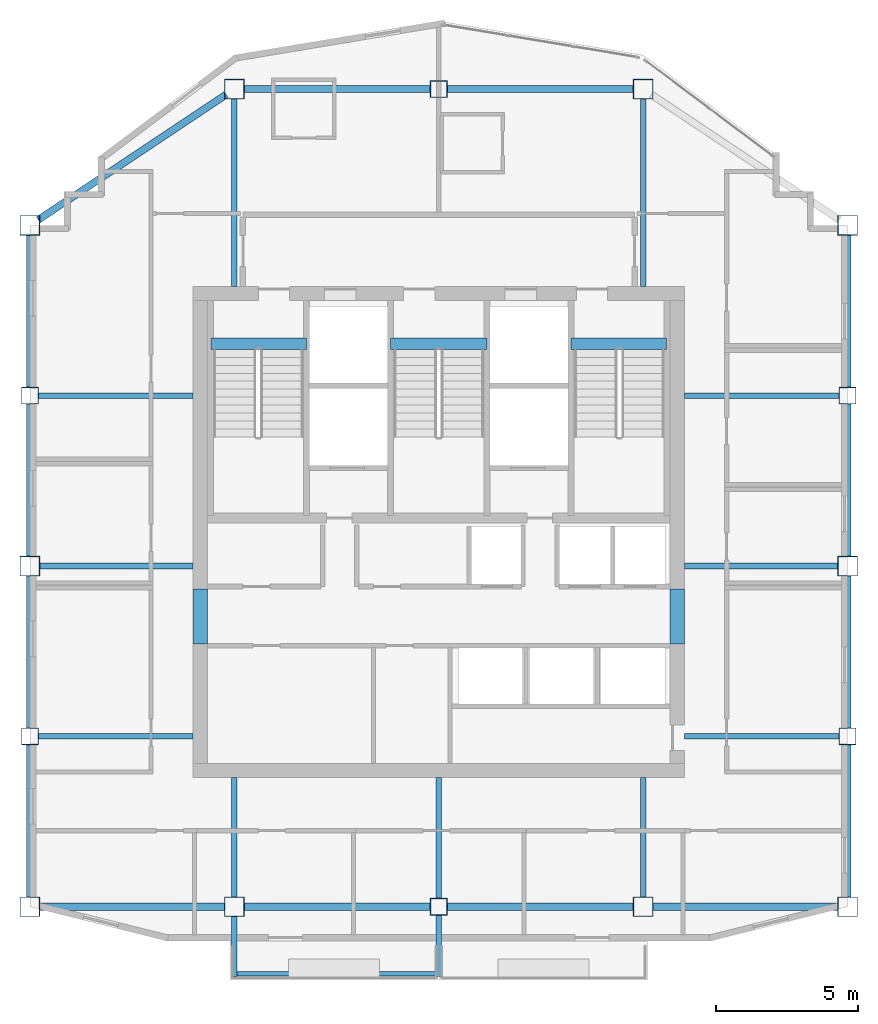
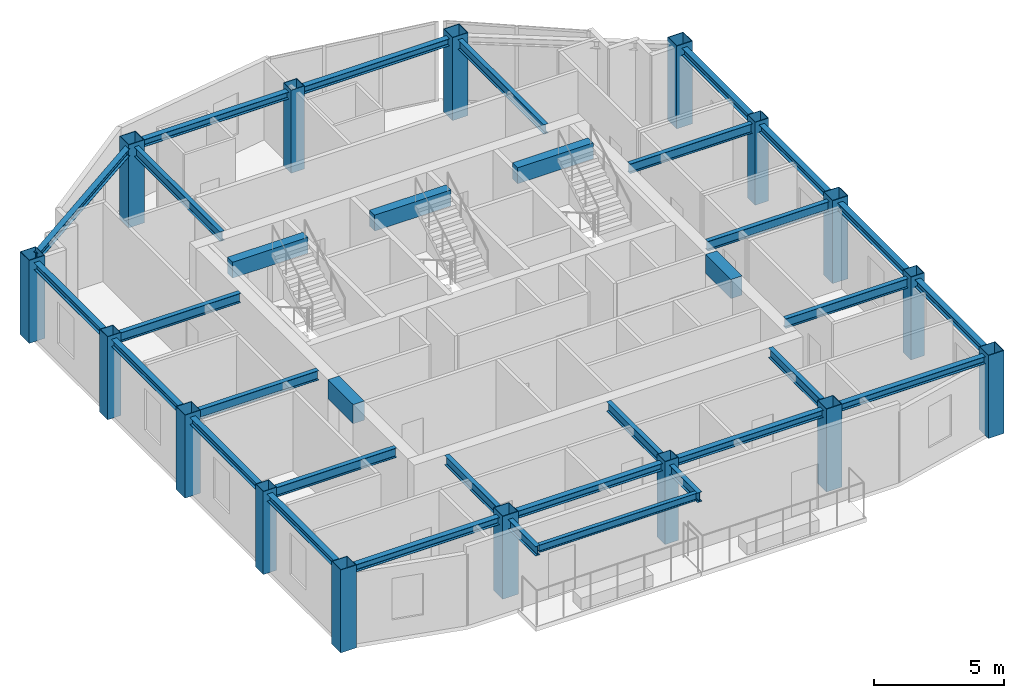
# One storey, part 1 of 8: 34 beams, 16 columns.
"""IFC4 building model written with IfcOpenShell, lengths in metres."""

from ifc_helpers import new_model, si_unit, direction, frame, origin, origin_2d, place, context, subcontext, project, spatial, rectangle, hollow_rectangle, i_section, extrude, material, material_profile, profile_set, type_object, element, save


model = new_model("IFC4")

# Units and contexts
model_context = context("Model", 3, precision=1e-05, world=origin(), true_north=direction((0.0, 1.0)))
body_context = subcontext(model_context, "Body", "Model", "MODEL_VIEW")
ifc_project = project(units=[si_unit("LENGTHUNIT", "METRE"), si_unit("AREAUNIT", "SQUARE_METRE"), si_unit("VOLUMEUNIT", "CUBIC_METRE"), si_unit("PLANEANGLEUNIT", "RADIAN"), si_unit("MASSUNIT", "GRAM", prefix="KILO")], contexts=[model_context])

# Site, building, storey
site_placement = place(None, origin())
site = spatial("IfcSite", under=ifc_project, at=site_placement, CompositionType="ELEMENT")
building_placement = place(site_placement, origin())
building = spatial("IfcBuilding", under=site, at=building_placement, Name="Haolan Belvedere Tower", CompositionType="ELEMENT")
storey_placement = place(building_placement, frame((0.0, 0.0, 297.800048828125)))
storey = spatial("IfcBuildingStorey", under=building, at=storey_placement, Name="L75", CompositionType="ELEMENT", Elevation=297.800048828125)

# Columns
ifc_material_1 = material(Name="Steel Q390GJC", Category="steel")
ifc_material_profile_1 = material_profile(ifc_material_1, hollow_rectangle(XDim=0.60009765625, YDim=0.60009765625, WallThickness=0.02392578125, at=origin_2d()), Name="Steel Q390GJC")
ifc_profile_set_1 = profile_set([ifc_material_profile_1], Name="Steel Q390GJC")
column_type_1 = type_object("IfcColumnType", Name="COL-BOX600x600x24", PredefinedType="COLUMN", material=ifc_profile_set_1)
for number, where, z_axis, x_axis, name in (
    (1, (24.0, 27.60009765625, 0.0), (0.0, 0.0, 1.0), (1.0, 0.0, 0.0), "L75 column TC-T3-W1 (BOX600x600x24)"),
    (2, (24.0, 39.60009765625, 0.0), (0.0, 0.0, 1.0), (1.0, 0.0, 0.0), "L75 column TC-T3-W2 (BOX600x600x24)"),
    (3, (52.800048828125, 27.60009765625, 0.0), (0.0, 0.0, 1.0), (1.0, 0.0, 0.0), "L75 column TC-T3-E1 (BOX600x600x24)"),
    (4, (52.800048828125, 39.60009765625, 0.0), (0.0, 0.0, 1.0), (1.0, 0.0, 0.0), "L75 column TC-T3-E2 (BOX600x600x24)"),
    (5, (38.39990234375, 21.60009765625, 0.0), (0.0, 0.0, 1.0), (1.0, 0.0, 0.0), "L75 column TC-T3-SM (BOX600x600x24)"),
    (6, (38.39990234375, 50.39990234375, 0.0), (0.0, 0.0, 1.0), (1.0, 0.0, 0.0), "L75 column TC-T3-NM (BOX600x600x24)"),
):
    element("IfcColumn", number, at=place(storey_placement, frame(where, z_axis=z_axis, x_axis=x_axis)), inside=storey, type_object=column_type_1, Name=name, PredefinedType="COLUMN", context=body_context, shape_type="SweptSolid", body=[
        extrude(hollow_rectangle(XDim=0.60009765625, YDim=0.60009765625, WallThickness=0.02392578125, at=origin_2d()), origin(), (0.0, 0.0, 1.0), 3.89990234375),
    ])
ifc_material_profile_2 = material_profile(ifc_material_1, hollow_rectangle(XDim=0.699951171875, YDim=0.699951171875, WallThickness=0.02587890625, at=origin_2d()), Name="Steel Q390GJC")
ifc_profile_set_2 = profile_set([ifc_material_profile_2], Name="Steel Q390GJC")
column_type_2 = type_object("IfcColumnType", Name="COL-BOX700x700x26", PredefinedType="COLUMN", material=ifc_profile_set_2)
for number, where, z_axis, x_axis, name in (
    (7, (24.0, 21.60009765625, 0.0), (0.0, 0.0, 1.0), (1.0, 0.0, 0.0), "L75 column MC-T3-SW (BOX700x700x26)"),
    (8, (24.0, 33.60009765625, 0.0), (0.0, 0.0, 1.0), (1.0, 0.0, 0.0), "L75 column MC-T3-MW (BOX700x700x26)"),
    (9, (24.0, 45.60009765625, 0.0), (0.0, 0.0, 1.0), (1.0, 0.0, 0.0), "L75 column MC-T3-NW (BOX700x700x26)"),
    (10, (52.800048828125, 21.60009765625, 0.0), (0.0, 0.0, 1.0), (1.0, 0.0, 0.0), "L75 column MC-T3-SE (BOX700x700x26)"),
    (11, (52.800048828125, 33.60009765625, 0.0), (0.0, 0.0, 1.0), (1.0, 0.0, 0.0), "L75 column MC-T3-ME (BOX700x700x26)"),
    (12, (52.800048828125, 45.60009765625, 0.0), (0.0, 0.0, 1.0), (1.0, 0.0, 0.0), "L75 column MC-T3-NE (BOX700x700x26)"),
    (13, (31.199951171875, 21.60009765625, 0.0), (0.0, 0.0, 1.0), (1.0, 0.0, 0.0), "L75 column MC-T3-S1 (BOX700x700x26)"),
    (14, (45.60009765625, 21.60009765625, 0.0), (0.0, 0.0, 1.0), (1.0, 0.0, 0.0), "L75 column MC-T3-S2 (BOX700x700x26)"),
    (15, (31.199951171875, 50.39990234375, 0.0), (0.0, 0.0, 1.0), (1.0, 0.0, 0.0), "L75 column MC-T3-N1 (BOX700x700x26)"),
    (16, (45.60009765625, 50.39990234375, 0.0), (0.0, 0.0, 1.0), (1.0, 0.0, 0.0), "L75 column MC-T3-N2 (BOX700x700x26)"),
):
    element("IfcColumn", number, at=place(storey_placement, frame(where, z_axis=z_axis, x_axis=x_axis)), inside=storey, type_object=column_type_2, Name=name, PredefinedType="COLUMN", context=body_context, shape_type="SweptSolid", body=[
        extrude(hollow_rectangle(XDim=0.699951171875, YDim=0.699951171875, WallThickness=0.02587890625, at=origin_2d()), origin(), (0.0, 0.0, 1.0), 3.89990234375),
    ])

# Beams
ifc_material_2 = material(Name="Steel Q355B", Category="steel")
ifc_material_profile_3 = material_profile(ifc_material_2, i_section(OverallWidth=0.25, OverallDepth=0.340087890625, WebThickness=0.009033203125, FlangeThickness=0.013916015625, FilletRadius=0.02001953125, at=origin_2d()), Name="Steel Q355B")
ifc_profile_set_3 = profile_set([ifc_material_profile_3], Name="Steel Q355B")
beam_type_1 = type_object("IfcBeamType", Name="BM-HM340x250x9x14", PredefinedType="SPANDREL", material=ifc_profile_set_3)
for number, where, z_axis, x_axis, name in (
    (17, (24.0, 21.949951171875, 3.550048828125), (0.0, 1.0, 0.0), (-1.0, 0.0, 0.0), "L75 spandrel girder MC-T3-SW-TC-T3-W1"),
    (18, (24.0, 27.89990234375, 3.550048828125), (0.0, 1.0, 0.0), (-1.0, 0.0, 0.0), "L75 spandrel girder TC-T3-W1-MC-T3-MW"),
    (19, (24.0, 33.949951171875, 3.550048828125), (0.0, 1.0, 0.0), (-1.0, 0.0, 0.0), "L75 spandrel girder MC-T3-MW-TC-T3-W2"),
    (20, (24.0, 39.89990234375, 3.550048828125), (0.0, 1.0, 0.0), (-1.0, 0.0, 0.0), "L75 spandrel girder TC-T3-W2-MC-T3-NW"),
    (21, (52.800048828125, 21.949951171875, 3.550048828125), (0.0, 1.0, 0.0), (-1.0, 0.0, 0.0), "L75 spandrel girder MC-T3-SE-TC-T3-E1"),
    (22, (52.800048828125, 27.89990234375, 3.550048828125), (0.0, 1.0, 0.0), (-1.0, 0.0, 0.0), "L75 spandrel girder TC-T3-E1-MC-T3-ME"),
    (23, (52.800048828125, 33.949951171875, 3.550048828125), (0.0, 1.0, 0.0), (-1.0, 0.0, 0.0), "L75 spandrel girder MC-T3-ME-TC-T3-E2"),
    (24, (52.800048828125, 39.89990234375, 3.550048828125), (0.0, 1.0, 0.0), (-1.0, 0.0, 0.0), "L75 spandrel girder TC-T3-E2-MC-T3-NE"),
):
    element("IfcBeam", number, at=place(storey_placement, frame(where, z_axis=z_axis, x_axis=x_axis)), inside=storey, type_object=beam_type_1, Name=name, PredefinedType="SPANDREL", context=body_context, shape_type="SweptSolid", body=[
        extrude(i_section(OverallWidth=0.25, OverallDepth=0.340087890625, WebThickness=0.009033203125, FlangeThickness=0.013916015625, FilletRadius=0.02001953125, at=origin_2d()), origin(), (0.0, 0.0, 1.0), 5.35009765625),
    ])
beam_1_placement = place(storey_placement, frame((24.35009765625, 21.60009765625, 3.550048828125), z_axis=(1.0, 0.0, 0.0), x_axis=(0.0, 1.0, 0.0)))
element("IfcBeam", 25, at=beam_1_placement, inside=storey, type_object=beam_type_1, Name="L75 spandrel girder MC-T3-SW-MC-T3-S1", PredefinedType="SPANDREL", context=body_context, shape_type="SweptSolid", body=[
    extrude(i_section(OverallWidth=0.25, OverallDepth=0.340087890625, WebThickness=0.009033203125, FlangeThickness=0.013916015625, FilletRadius=0.02001953125, at=origin_2d()), origin(), (0.0, 0.0, 1.0), 6.5),
])
for number, where, z_axis, x_axis, name in (
    (26, (31.550048828125, 21.60009765625, 3.550048828125), (1.0, 0.0, 0.0), (0.0, 1.0, 0.0), "L75 spandrel girder MC-T3-S1-TC-T3-SM"),
    (27, (38.699951171875, 21.60009765625, 3.550048828125), (1.0, 0.0, 0.0), (0.0, 1.0, 0.0), "L75 spandrel girder TC-T3-SM-MC-T3-S2"),
):
    element("IfcBeam", number, at=place(storey_placement, frame(where, z_axis=z_axis, x_axis=x_axis)), inside=storey, type_object=beam_type_1, Name=name, PredefinedType="SPANDREL", context=body_context, shape_type="SweptSolid", body=[
        extrude(i_section(OverallWidth=0.25, OverallDepth=0.340087890625, WebThickness=0.009033203125, FlangeThickness=0.013916015625, FilletRadius=0.02001953125, at=origin_2d()), origin(), (0.0, 0.0, 1.0), 6.550048828125),
    ])
beam_2_placement = place(storey_placement, frame((45.949951171875, 21.60009765625, 3.550048828125), z_axis=(1.0, 0.0, 0.0), x_axis=(0.0, 1.0, 0.0)))
element("IfcBeam", 28, at=beam_2_placement, inside=storey, type_object=beam_type_1, Name="L75 spandrel girder MC-T3-S2-MC-T3-SE", PredefinedType="SPANDREL", context=body_context, shape_type="SweptSolid", body=[
    extrude(i_section(OverallWidth=0.25, OverallDepth=0.340087890625, WebThickness=0.009033203125, FlangeThickness=0.013916015625, FilletRadius=0.02001953125, at=origin_2d()), origin(), (0.0, 0.0, 1.0), 6.5),
])
beam_3_placement = place(storey_placement, frame((24.291259765625, 45.794189453125, 3.550048828125), z_axis=(0.832050294338, 0.554700196225, 0.0), x_axis=(-0.554700196225, 0.832050294338, 0.0)))
element("IfcBeam", 29, at=beam_3_placement, inside=storey, type_object=beam_type_1, Name="L75 spandrel girder MC-T3-NW-MC-T3-N1", PredefinedType="SPANDREL", context=body_context, shape_type="SweptSolid", body=[
    extrude(i_section(OverallWidth=0.25, OverallDepth=0.340087890625, WebThickness=0.009033203125, FlangeThickness=0.013916015625, FilletRadius=0.02001953125, at=origin_2d()), origin(), (0.0, 0.0, 1.0), 7.953125),
])
for number, where, z_axis, x_axis, name in (
    (30, (31.550048828125, 50.39990234375, 3.550048828125), (1.0, 0.0, 0.0), (0.0, 1.0, 0.0), "L75 spandrel girder MC-T3-N1-TC-T3-NM"),
    (31, (38.699951171875, 50.39990234375, 3.550048828125), (1.0, 0.0, 0.0), (0.0, 1.0, 0.0), "L75 spandrel girder TC-T3-NM-MC-T3-N2"),
):
    element("IfcBeam", number, at=place(storey_placement, frame(where, z_axis=z_axis, x_axis=x_axis)), inside=storey, type_object=beam_type_1, Name=name, PredefinedType="SPANDREL", context=body_context, shape_type="SweptSolid", body=[
        extrude(i_section(OverallWidth=0.25, OverallDepth=0.340087890625, WebThickness=0.009033203125, FlangeThickness=0.013916015625, FilletRadius=0.02001953125, at=origin_2d()), origin(), (0.0, 0.0, 1.0), 6.550048828125),
    ])
ifc_material_profile_4 = material_profile(ifc_material_2, i_section(OverallWidth=0.175048828125, OverallDepth=0.35009765625, WebThickness=0.007080078125, FlangeThickness=0.010986328125, FilletRadius=0.012939453125, at=origin_2d()), Name="Steel Q355B")
ifc_profile_set_4 = profile_set([ifc_material_profile_4], Name="Steel Q355B")
beam_type_2 = type_object("IfcBeamType", Name="BM-HN350x175x7x11", PredefinedType="JOIST", material=ifc_profile_set_4)
beam_4_placement = place(storey_placement, frame((31.300048828125, 19.239990234375, 3.494873046875), z_axis=(1.0, 0.0, 0.0), x_axis=(0.0, 1.0, 0.0)))
element("IfcBeam", 32, at=beam_4_placement, inside=storey, type_object=beam_type_2, Name="L76 tree-balcony front trimmer beam 1", PredefinedType="BEAM", context=body_context, shape_type="SweptSolid", body=[
    extrude(i_section(OverallWidth=0.175048828125, OverallDepth=0.35009765625, WebThickness=0.007080078125, FlangeThickness=0.010986328125, FilletRadius=0.012939453125, at=origin_2d()), origin(), (0.0, 0.0, 1.0), 7.0),
])
ifc_material_profile_5 = material_profile(ifc_material_2, i_section(OverallWidth=0.199951171875, OverallDepth=0.449951171875, WebThickness=0.009033203125, FlangeThickness=0.013916015625, FilletRadius=0.01611328125, at=origin_2d()), Name="Steel Q355B")
ifc_profile_set_5 = profile_set([ifc_material_profile_5], Name="Steel Q355B")
beam_type_3 = type_object("IfcBeamType", Name="BM-HN450x200x9x14", PredefinedType="BEAM", material=ifc_profile_set_5)
beam_5_placement = place(storey_placement, frame((24.35009765625, 33.60009765625, 3.494873046875), z_axis=(1.0, 0.0, 0.0), x_axis=(0.0, 1.0, 0.0)))
element("IfcBeam", 33, at=beam_5_placement, inside=storey, type_object=beam_type_3, Name="L75 core tie beam from MC-T3-MW", PredefinedType="BEAM", context=body_context, shape_type="SweptSolid", body=[
    extrude(i_section(OverallWidth=0.199951171875, OverallDepth=0.449951171875, WebThickness=0.009033203125, FlangeThickness=0.013916015625, FilletRadius=0.01611328125, at=origin_2d()), origin(), (0.0, 0.0, 1.0), 5.39990234375),
])
for number, where, z_axis, x_axis, name in (
    (34, (24.300048828125, 27.60009765625, 3.494873046875), (1.0, 0.0, 0.0), (0.0, 1.0, 0.0), "L75 core tie beam from TC-T3-W1"),
    (35, (24.300048828125, 39.60009765625, 3.494873046875), (1.0, 0.0, 0.0), (0.0, 1.0, 0.0), "L75 core tie beam from TC-T3-W2"),
):
    element("IfcBeam", number, at=place(storey_placement, frame(where, z_axis=z_axis, x_axis=x_axis)), inside=storey, type_object=beam_type_3, Name=name, PredefinedType="BEAM", context=body_context, shape_type="SweptSolid", body=[
        extrude(i_section(OverallWidth=0.199951171875, OverallDepth=0.449951171875, WebThickness=0.009033203125, FlangeThickness=0.013916015625, FilletRadius=0.01611328125, at=origin_2d()), origin(), (0.0, 0.0, 1.0), 5.449951171875),
    ])
beam_6_placement = place(storey_placement, frame((52.449951171875, 33.60009765625, 3.494873046875), z_axis=(-1.0, 0.0, 0.0), x_axis=(0.0, -1.0, 0.0)))
element("IfcBeam", 36, at=beam_6_placement, inside=storey, type_object=beam_type_3, Name="L75 core tie beam from MC-T3-ME", PredefinedType="BEAM", context=body_context, shape_type="SweptSolid", body=[
    extrude(i_section(OverallWidth=0.199951171875, OverallDepth=0.449951171875, WebThickness=0.009033203125, FlangeThickness=0.013916015625, FilletRadius=0.01611328125, at=origin_2d()), origin(), (0.0, 0.0, 1.0), 5.39990234375),
])
for number, where, z_axis, x_axis, name in (
    (37, (52.5, 27.60009765625, 3.494873046875), (-1.0, 0.0, 0.0), (0.0, -1.0, 0.0), "L75 core tie beam from TC-T3-E1"),
    (38, (52.5, 39.60009765625, 3.494873046875), (-1.0, 0.0, 0.0), (0.0, -1.0, 0.0), "L75 core tie beam from TC-T3-E2"),
):
    element("IfcBeam", number, at=place(storey_placement, frame(where, z_axis=z_axis, x_axis=x_axis)), inside=storey, type_object=beam_type_3, Name=name, PredefinedType="BEAM", context=body_context, shape_type="SweptSolid", body=[
        extrude(i_section(OverallWidth=0.199951171875, OverallDepth=0.449951171875, WebThickness=0.009033203125, FlangeThickness=0.013916015625, FilletRadius=0.01611328125, at=origin_2d()), origin(), (0.0, 0.0, 1.0), 5.449951171875),
    ])
beam_7_placement = place(storey_placement, frame((31.199951171875, 21.949951171875, 3.494873046875), z_axis=(0.0, 1.0, 0.0), x_axis=(-1.0, 0.0, 0.0)))
element("IfcBeam", 39, at=beam_7_placement, inside=storey, type_object=beam_type_3, Name="L75 core tie beam from MC-T3-S1", PredefinedType="BEAM", context=body_context, shape_type="SweptSolid", body=[
    extrude(i_section(OverallWidth=0.199951171875, OverallDepth=0.449951171875, WebThickness=0.009033203125, FlangeThickness=0.013916015625, FilletRadius=0.01611328125, at=origin_2d()), origin(), (0.0, 0.0, 1.0), 4.199951171875),
])
beam_8_placement = place(storey_placement, frame((38.39990234375, 21.89990234375, 3.494873046875), z_axis=(0.0, 1.0, 0.0), x_axis=(-1.0, 0.0, 0.0)))
element("IfcBeam", 40, at=beam_8_placement, inside=storey, type_object=beam_type_3, Name="L75 core tie beam from TC-T3-SM", PredefinedType="BEAM", context=body_context, shape_type="SweptSolid", body=[
    extrude(i_section(OverallWidth=0.199951171875, OverallDepth=0.449951171875, WebThickness=0.009033203125, FlangeThickness=0.013916015625, FilletRadius=0.01611328125, at=origin_2d()), origin(), (0.0, 0.0, 1.0), 4.25),
])
beam_9_placement = place(storey_placement, frame((45.60009765625, 21.949951171875, 3.494873046875), z_axis=(0.0, 1.0, 0.0), x_axis=(-1.0, 0.0, 0.0)))
element("IfcBeam", 41, at=beam_9_placement, inside=storey, type_object=beam_type_3, Name="L75 core tie beam from MC-T3-S2", PredefinedType="BEAM", context=body_context, shape_type="SweptSolid", body=[
    extrude(i_section(OverallWidth=0.199951171875, OverallDepth=0.449951171875, WebThickness=0.009033203125, FlangeThickness=0.013916015625, FilletRadius=0.01611328125, at=origin_2d()), origin(), (0.0, 0.0, 1.0), 4.199951171875),
])
for number, where, z_axis, x_axis, name in (
    (42, (31.199951171875, 50.050048828125, 3.494873046875), (0.0, -1.0, 0.0), (1.0, 0.0, 0.0), "L75 core tie beam from MC-T3-N1"),
    (43, (45.60009765625, 50.050048828125, 3.494873046875), (0.0, -1.0, 0.0), (1.0, 0.0, 0.0), "L75 core tie beam from MC-T3-N2"),
):
    element("IfcBeam", number, at=place(storey_placement, frame(where, z_axis=z_axis, x_axis=x_axis)), inside=storey, type_object=beam_type_3, Name=name, PredefinedType="BEAM", context=body_context, shape_type="SweptSolid", body=[
        extrude(i_section(OverallWidth=0.199951171875, OverallDepth=0.449951171875, WebThickness=0.009033203125, FlangeThickness=0.013916015625, FilletRadius=0.01611328125, at=origin_2d()), origin(), (0.0, 0.0, 1.0), 6.60009765625),
    ])
beam_10_placement = place(storey_placement, frame((31.199951171875, 21.25, 3.445068359375), z_axis=(0.0, -1.0, 0.0), x_axis=(1.0, 0.0, 0.0)))
element("IfcBeam", 44, at=beam_10_placement, inside=storey, type_object=beam_type_3, Name="L76 tree-balcony column cantilever MC-T3-S1", PredefinedType="BEAM", context=body_context, shape_type="SweptSolid", body=[
    extrude(i_section(OverallWidth=0.199951171875, OverallDepth=0.449951171875, WebThickness=0.009033203125, FlangeThickness=0.013916015625, FilletRadius=0.01611328125, at=origin_2d()), origin(), (0.0, 0.0, 1.0), 2.110107421875),
])
beam_11_placement = place(storey_placement, frame((38.39990234375, 21.300048828125, 3.445068359375), z_axis=(0.0, -1.0, 0.0), x_axis=(1.0, 0.0, 0.0)))
element("IfcBeam", 45, at=beam_11_placement, inside=storey, type_object=beam_type_3, Name="L76 tree-balcony column cantilever TC-T3-SM", PredefinedType="BEAM", context=body_context, shape_type="SweptSolid", body=[
    extrude(i_section(OverallWidth=0.199951171875, OverallDepth=0.449951171875, WebThickness=0.009033203125, FlangeThickness=0.013916015625, FilletRadius=0.01611328125, at=origin_2d()), origin(), (0.0, 0.0, 1.0), 2.16015625),
])
ifc_material_3 = material(Name="Concrete C50/60", Category="concrete")
ifc_material_profile_6 = material_profile(ifc_material_3, rectangle(XDim=0.39990234375, YDim=0.75, at=origin_2d()), Name="Concrete C50/60")
ifc_profile_set_6 = profile_set([ifc_material_profile_6], Name="Concrete C50/60")
beam_type_4 = type_object("IfcBeamType", Name="BM-RC400x750", PredefinedType="T_BEAM", material=ifc_profile_set_6)
beam_12_placement = place(storey_placement, frame((30.3798828125, 41.429931640625, 3.52490234375), z_axis=(1.0, 0.0, 0.0), x_axis=(0.0, 1.0, 0.0)))
element("IfcBeam", 46, at=beam_12_placement, inside=storey, type_object=beam_type_4, Name="L76 stair ST1 RC header trimmer beam", PredefinedType="BEAM", context=body_context, shape_type="SweptSolid", body=[
    extrude(rectangle(XDim=0.39990234375, YDim=0.75, at=origin_2d()), origin(), (0.0, 0.0, 1.0), 3.360107421875),
])
beam_13_placement = place(storey_placement, frame((36.699951171875, 41.429931640625, 3.52490234375), z_axis=(1.0, 0.0, 0.0), x_axis=(0.0, 1.0, 0.0)))
element("IfcBeam", 47, at=beam_13_placement, inside=storey, type_object=beam_type_4, Name="L76 stair ST3 RC header trimmer beam", PredefinedType="BEAM", context=body_context, shape_type="SweptSolid", body=[
    extrude(rectangle(XDim=0.39990234375, YDim=0.75, at=origin_2d()), origin(), (0.0, 0.0, 1.0), 3.400146484375),
])
beam_14_placement = place(storey_placement, frame((43.06005859375, 41.429931640625, 3.52490234375), z_axis=(1.0, 0.0, 0.0), x_axis=(0.0, 1.0, 0.0)))
element("IfcBeam", 48, at=beam_14_placement, inside=storey, type_object=beam_type_4, Name="L76 stair ST2 RC header trimmer beam", PredefinedType="BEAM", context=body_context, shape_type="SweptSolid", body=[
    extrude(rectangle(XDim=0.39990234375, YDim=0.75, at=origin_2d()), origin(), (0.0, 0.0, 1.0), 3.35986328125),
])
ifc_material_4 = material(Name="Concrete C60/75", Category="concrete")
ifc_material_profile_7 = material_profile(ifc_material_4, rectangle(XDim=0.5, YDim=0.89990234375, at=origin_2d()), Name="Concrete C60/75")
ifc_profile_set_7 = profile_set([ifc_material_profile_7], Name="Concrete C60/75")
beam_type_5 = type_object("IfcBeamType", Name="BM-RC500x900", PredefinedType="LINTEL", material=ifc_profile_set_7)
for number, where, z_axis, x_axis, name in (
    (49, (30.0, 30.85009765625, 3.27001953125), (0.0, 1.0, 0.0), (-1.0, 0.0, 0.0), "L75 west core coupling beam CB-01"),
    (50, (46.800048828125, 30.85009765625, 3.27001953125), (0.0, 1.0, 0.0), (-1.0, 0.0, 0.0), "L75 east core coupling beam CB-01"),
):
    element("IfcBeam", number, at=place(storey_placement, frame(where, z_axis=z_axis, x_axis=x_axis)), inside=storey, type_object=beam_type_5, Name=name, PredefinedType="LINTEL", context=body_context, shape_type="SweptSolid", body=[
        extrude(rectangle(XDim=0.5, YDim=0.89990234375, at=origin_2d()), origin(), (0.0, 0.0, 1.0), 1.949951171875),
    ])

save(model, "model.ifc")
